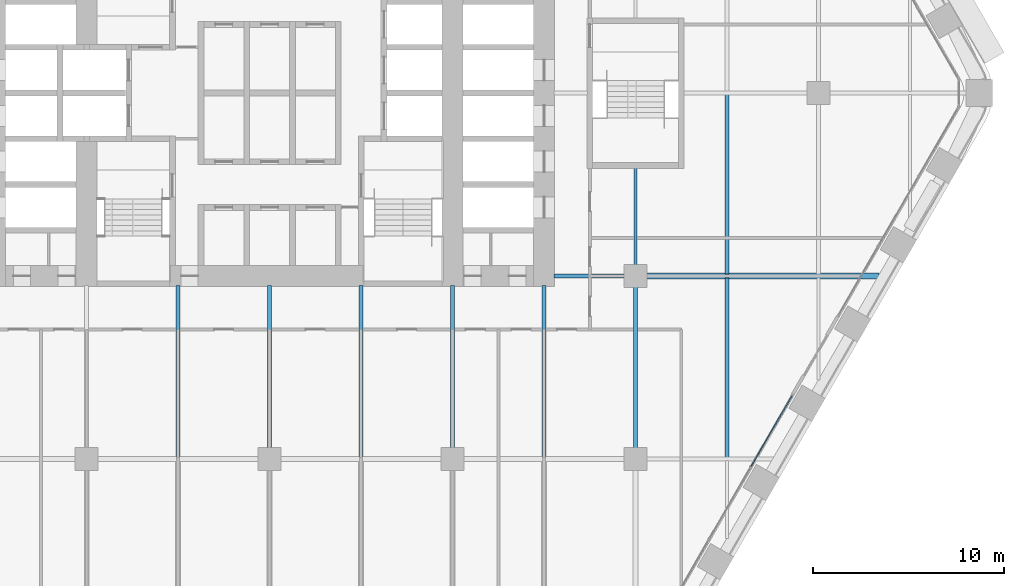
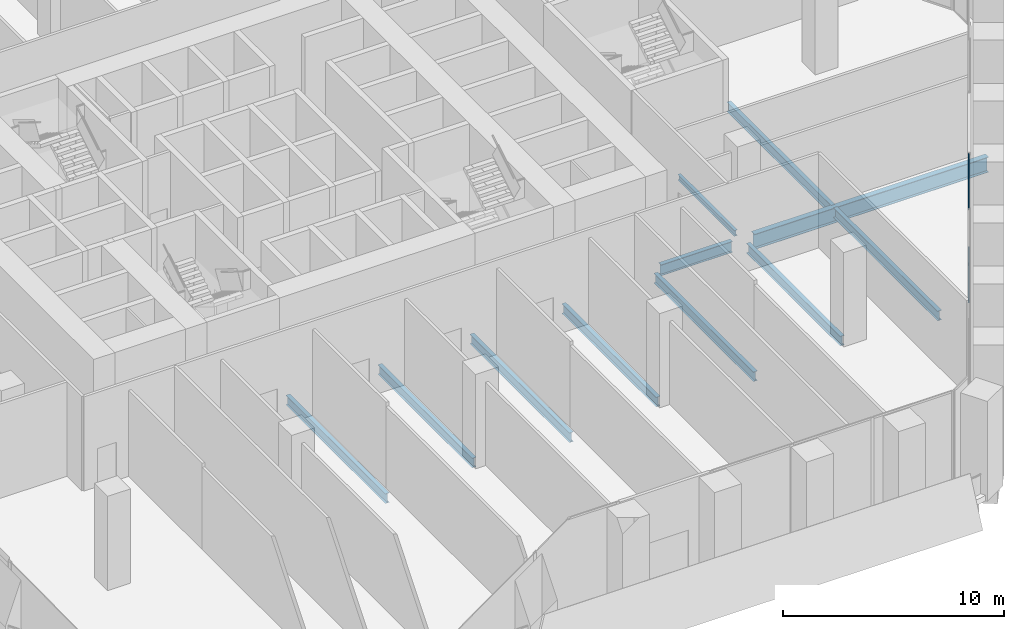
# One storey, part 6 of 27: 11 beams, 2 members, 1 element without a shape of its own.
"""IFC4 building model written with IfcOpenShell, lengths in metres."""

from ifc_helpers import new_model, si_unit, direction, frame, origin, origin_2d, place, context, subcontext, project, spatial, rectangle, i_section, extrude, material, material_profile, profile_set, type_object, element, aggregate, save


model = new_model("IFC4")

# Units and contexts
model_context = context("Model", 3, precision=1e-05, world=origin(), true_north=direction((0.0, 1.0)))
body_context = subcontext(model_context, "Body", "Model", "MODEL_VIEW")
ifc_project = project(units=[si_unit("LENGTHUNIT", "METRE"), si_unit("AREAUNIT", "SQUARE_METRE"), si_unit("VOLUMEUNIT", "CUBIC_METRE"), si_unit("PLANEANGLEUNIT", "RADIAN"), si_unit("MASSUNIT", "GRAM", prefix="KILO")], contexts=[model_context])

# Site, building, storey
site_placement = place(None, origin())
site = spatial("IfcSite", under=ifc_project, at=site_placement, CompositionType="ELEMENT")
building_placement = place(site_placement, origin())
building = spatial("IfcBuilding", under=site, at=building_placement, Name="Kolab Exchange Tower", CompositionType="ELEMENT")
storey_placement = place(building_placement, frame((0.0, 0.0, 66.39990234375)))
storey = spatial("IfcBuildingStorey", under=building, at=storey_placement, Name="L12", CompositionType="ELEMENT", Elevation=66.39990234375)

# Beams
ifc_material_1 = material(Name="Steel S355", Category="steel")
ifc_material_profile_1 = material_profile(ifc_material_1, i_section(OverallWidth=0.1650390625, OverallDepth=0.31005859375, WebThickness=0.005859375, FlangeThickness=0.009765625, at=origin_2d()), Name="W310X39")
ifc_profile_set_1 = profile_set([ifc_material_profile_1], Name="Steel S355")
beam_type_1 = type_object("IfcBeamType", Name="FLOOR BEAM W310X39", PredefinedType="BEAM", material=ifc_profile_set_1)
beam_1_placement = place(storey_placement, frame((19.199951171875, -9.0400390625, -0.454833984375), z_axis=(0.0, 1.0, 0.0), x_axis=(-1.0, 0.0, 0.0)))
element("IfcBeam", 1, at=beam_1_placement, inside=storey, type_object=beam_type_1, Name="beam/L12/fr/048", PredefinedType="BEAM", context=body_context, shape_type="SweptSolid", body=[
    extrude(i_section(OverallWidth=0.1650390625, OverallDepth=0.31005859375, WebThickness=0.005859375, FlangeThickness=0.009765625, at=origin_2d()), origin(), (0.0, 0.0, 1.0), 5.130126953125),
])
ifc_material_profile_2 = material_profile(ifc_material_1, i_section(OverallWidth=0.208984375, OverallDepth=0.532958984375, WebThickness=0.01025390625, FlangeThickness=0.015625, at=origin_2d()), Name="W530X92")
ifc_profile_set_2 = profile_set([ifc_material_profile_2], Name="Steel S355")
beam_type_2 = type_object("IfcBeamType", Name="FLOOR BEAM W530X92", PredefinedType="BEAM", material=ifc_profile_set_2)
beam_2_placement = place(storey_placement, frame((-4.800048828125, -19.1064453125, -0.56640625), z_axis=(0.0, 1.0, 0.0), x_axis=(-1.0, 0.0, 0.0)))
element("IfcBeam", 2, at=beam_2_placement, inside=storey, type_object=beam_type_2, Name="beam/L12/fr/027", PredefinedType="BEAM", context=body_context, shape_type="SweptSolid", body=[
    extrude(i_section(OverallWidth=0.208984375, OverallDepth=0.532958984375, WebThickness=0.01025390625, FlangeThickness=0.015625, at=origin_2d()), origin(), (0.0, 0.0, 1.0), 8.996337890625),
])
beam_3_placement = place(storey_placement, frame((0.0, -18.639892578125, -0.56640625), z_axis=(0.0, 1.0, 0.0), x_axis=(-1.0, 0.0, 0.0)))
element("IfcBeam", 3, at=beam_3_placement, inside=storey, type_object=beam_type_2, Name="beam/L12/fr/031", PredefinedType="BEAM", context=body_context, shape_type="SweptSolid", body=[
    extrude(i_section(OverallWidth=0.208984375, OverallDepth=0.532958984375, WebThickness=0.01025390625, FlangeThickness=0.015625, at=origin_2d()), origin(), (0.0, 0.0, 1.0), 8.52978515625),
])
beam_4_placement = place(storey_placement, frame((4.800048828125, -19.1064453125, -0.56640625), z_axis=(0.0, 1.0, 0.0), x_axis=(-1.0, 0.0, 0.0)))
element("IfcBeam", 4, at=beam_4_placement, inside=storey, type_object=beam_type_2, Name="beam/L12/fr/035", PredefinedType="BEAM", context=body_context, shape_type="SweptSolid", body=[
    extrude(i_section(OverallWidth=0.208984375, OverallDepth=0.532958984375, WebThickness=0.01025390625, FlangeThickness=0.015625, at=origin_2d()), origin(), (0.0, 0.0, 1.0), 8.996337890625),
])
beam_5_placement = place(storey_placement, frame((9.60009765625, -18.639892578125, -0.56640625), z_axis=(0.0, 1.0, 0.0), x_axis=(-1.0, 0.0, 0.0)))
element("IfcBeam", 5, at=beam_5_placement, inside=storey, type_object=beam_type_2, Name="beam/L12/fr/039", PredefinedType="BEAM", context=body_context, shape_type="SweptSolid", body=[
    extrude(i_section(OverallWidth=0.208984375, OverallDepth=0.532958984375, WebThickness=0.01025390625, FlangeThickness=0.015625, at=origin_2d()), origin(), (0.0, 0.0, 1.0), 8.52978515625),
])
beam_6_placement = place(storey_placement, frame((14.39990234375, -19.1064453125, -0.56640625), z_axis=(0.0, 1.0, 0.0), x_axis=(-1.0, 0.0, 0.0)))
element("IfcBeam", 6, at=beam_6_placement, inside=storey, type_object=beam_type_2, Name="beam/L12/fr/043", PredefinedType="BEAM", context=body_context, shape_type="SweptSolid", body=[
    extrude(i_section(OverallWidth=0.208984375, OverallDepth=0.532958984375, WebThickness=0.01025390625, FlangeThickness=0.015625, at=origin_2d()), origin(), (0.0, 0.0, 1.0), 8.996337890625),
])
beam_7_placement = place(storey_placement, frame((19.199951171875, -18.639892578125, -0.56640625), z_axis=(0.0, 1.0, 0.0), x_axis=(-1.0, 0.0, 0.0)))
element("IfcBeam", 7, at=beam_7_placement, inside=storey, type_object=beam_type_2, Name="beam/L12/fr/047", PredefinedType="BEAM", context=body_context, shape_type="SweptSolid", body=[
    extrude(i_section(OverallWidth=0.208984375, OverallDepth=0.532958984375, WebThickness=0.01025390625, FlangeThickness=0.015625, at=origin_2d()), origin(), (0.0, 0.0, 1.0), 8.47998046875),
])
for number, where, z_axis, x_axis, name in (
    (8, (24.0, -19.1259765625, -0.56640625), (0.0, 1.0, 0.0), (-1.0, 0.0, 0.0), "beam/L12/fr/053"),
    (9, (24.0, -9.493896484375, -0.56640625), (0.0, 1.0, 0.0), (-1.0, 0.0, 0.0), "beam/L12/fr/054"),
):
    element("IfcBeam", number, at=place(storey_placement, frame(where, z_axis=z_axis, x_axis=x_axis)), inside=storey, type_object=beam_type_2, Name=name, PredefinedType="BEAM", context=body_context, shape_type="SweptSolid", body=[
        extrude(i_section(OverallWidth=0.208984375, OverallDepth=0.532958984375, WebThickness=0.01025390625, FlangeThickness=0.015625, at=origin_2d()), origin(), (0.0, 0.0, 1.0), 9.419921875),
    ])
ifc_material_profile_3 = material_profile(ifc_material_1, i_section(OverallWidth=0.22802734375, OverallDepth=0.60791015625, WebThickness=0.01123046875, FlangeThickness=0.017333984375, at=origin_2d()), Name="W610X113")
ifc_profile_set_3 = profile_set([ifc_material_profile_3], Name="Steel S355")
beam_type_3 = type_object("IfcBeamType", Name="FLOOR GIRDER W610X113", PredefinedType="BEAM", material=ifc_profile_set_3)
beam_8_placement = place(storey_placement, frame((14.909912109375, -9.60009765625, -0.60400390625), z_axis=(1.0, 0.0, 0.0), x_axis=(0.0, 1.0, 0.0)))
element("IfcBeam", 10, at=beam_8_placement, inside=storey, type_object=beam_type_3, Name="beam/L12/gd/017", PredefinedType="BEAM", context=body_context, shape_type="SweptSolid", body=[
    extrude(i_section(OverallWidth=0.22802734375, OverallDepth=0.60791015625, WebThickness=0.01123046875, FlangeThickness=0.017333984375, at=origin_2d()), origin(), (0.0, 0.0, 1.0), 3.72998046875),
])
ifc_material_profile_4 = material_profile(ifc_material_1, i_section(OverallWidth=0.2919921875, OverallDepth=0.840087890625, WebThickness=0.0146484375, FlangeThickness=0.021728515625, at=origin_2d()), Name="W840X193")
ifc_profile_set_4 = profile_set([ifc_material_profile_4], Name="Steel S355")
beam_type_4 = type_object("IfcBeamType", Name="FLOOR GIRDER W840X193", PredefinedType="BEAM", material=ifc_profile_set_4)
beam_9_placement = place(storey_placement, frame((19.760009765625, -9.60009765625, -0.719970703125), z_axis=(1.0, 0.0, 0.0), x_axis=(0.0, 1.0, 0.0)))
element("IfcBeam", 11, at=beam_9_placement, inside=storey, type_object=beam_type_4, Name="beam/L12/gd/021", PredefinedType="BEAM", context=body_context, shape_type="SweptSolid", body=[
    extrude(i_section(OverallWidth=0.2919921875, OverallDepth=0.840087890625, WebThickness=0.0146484375, FlangeThickness=0.021728515625, at=origin_2d()), origin(), (0.0, 0.0, 1.0), 12.213623046875),
])

# Curtain wall, members
ifc_material_2 = material(Name="Aluminium EN AW-6063 T6", Category="aluminium")
curtain_wall_type = type_object("IfcCurtainWallType", Name="UNITISED LOW ZONE CURTAIN WALL", PredefinedType="NOTDEFINED", material=ifc_material_2)
curtain_wall_placement = place(storey_placement, origin())
curtain_wall = element("IfcCurtainWall", 12, at=curtain_wall_placement, inside=storey, type_object=curtain_wall_type, Name="cw/L12/F3-2", PredefinedType="NOTDEFINED")
ifc_material_profile_5 = material_profile(ifc_material_2, rectangle(XDim=0.06005859375, YDim=0.10009765625, at=origin_2d()), Name="RECT 60X100")
ifc_profile_set_5 = profile_set([ifc_material_profile_5], Name="Aluminium EN AW-6063 T6")
member_type = type_object("IfcMemberType", Name="UNITISED LOW ZONE TRANSOM 60 X 100", PredefinedType="USERDEFINED", material=ifc_profile_set_5)
member_1_placement = place(storey_placement, frame((27.401611328125, -15.8896484375, 0.030029296875), z_axis=(-0.499976099074, -0.866039202551, 0.0), x_axis=(0.866039202551, -0.499976099074, 0.0)))
member_1 = element("IfcMember", 13, at=member_1_placement, type_object=member_type, Name="CW1 transom 1.1", ObjectType="TRANSOM", PredefinedType="USERDEFINED", context=body_context, shape_type="SweptSolid", body=[
    extrude(rectangle(XDim=0.06005859375, YDim=0.10009765625, at=origin_2d()), origin(), (0.0, 0.0, 1.0), 4.277099609375),
])
member_2_placement = place(storey_placement, frame((27.401611328125, -15.8896484375, 5.170166015625), z_axis=(-0.499976099074, -0.866039202551, 0.0), x_axis=(0.866039202551, -0.499976099074, 0.0)))
member_2 = element("IfcMember", 14, at=member_2_placement, type_object=member_type, Name="CW1 transom 1.2", ObjectType="TRANSOM", PredefinedType="USERDEFINED", context=body_context, shape_type="SweptSolid", body=[
    extrude(rectangle(XDim=0.06005859375, YDim=0.10009765625, at=origin_2d()), origin(), (0.0, 0.0, 1.0), 4.277099609375),
])
aggregate(curtain_wall, [member_1, member_2])

save(model, "model.ifc")
